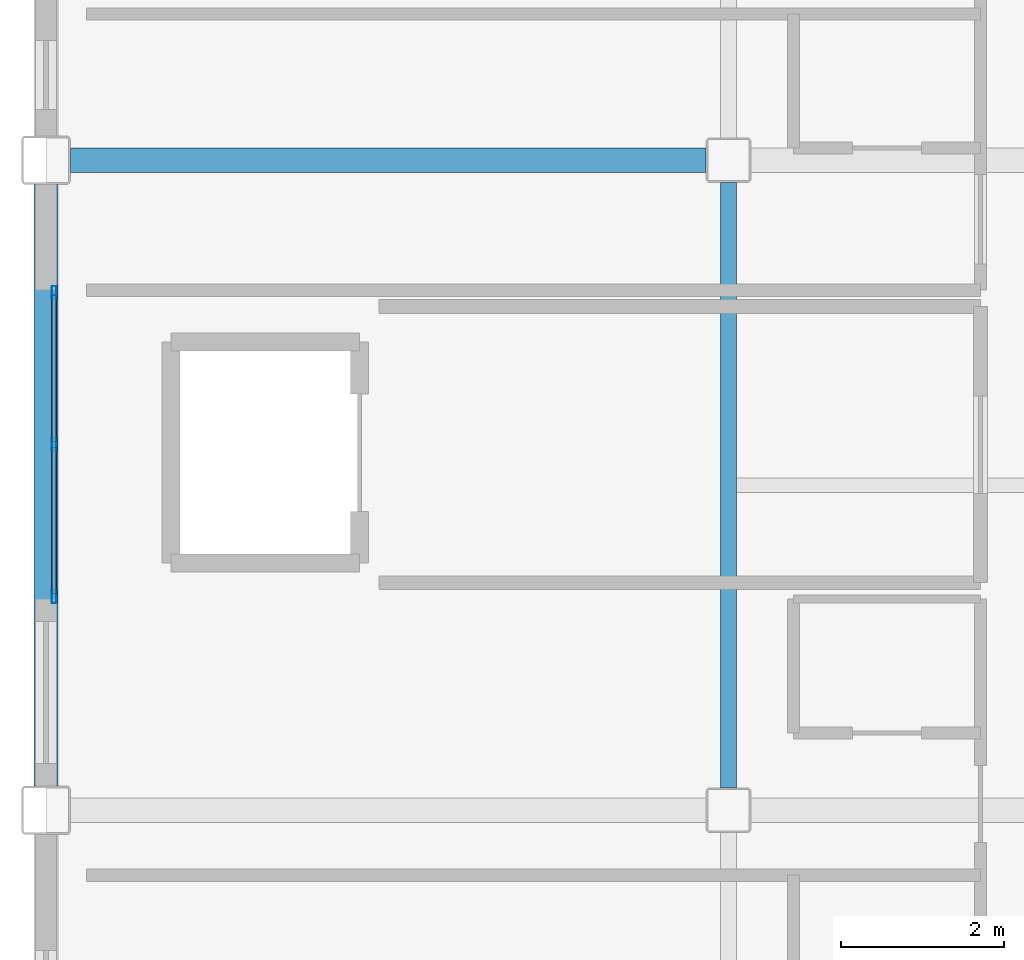
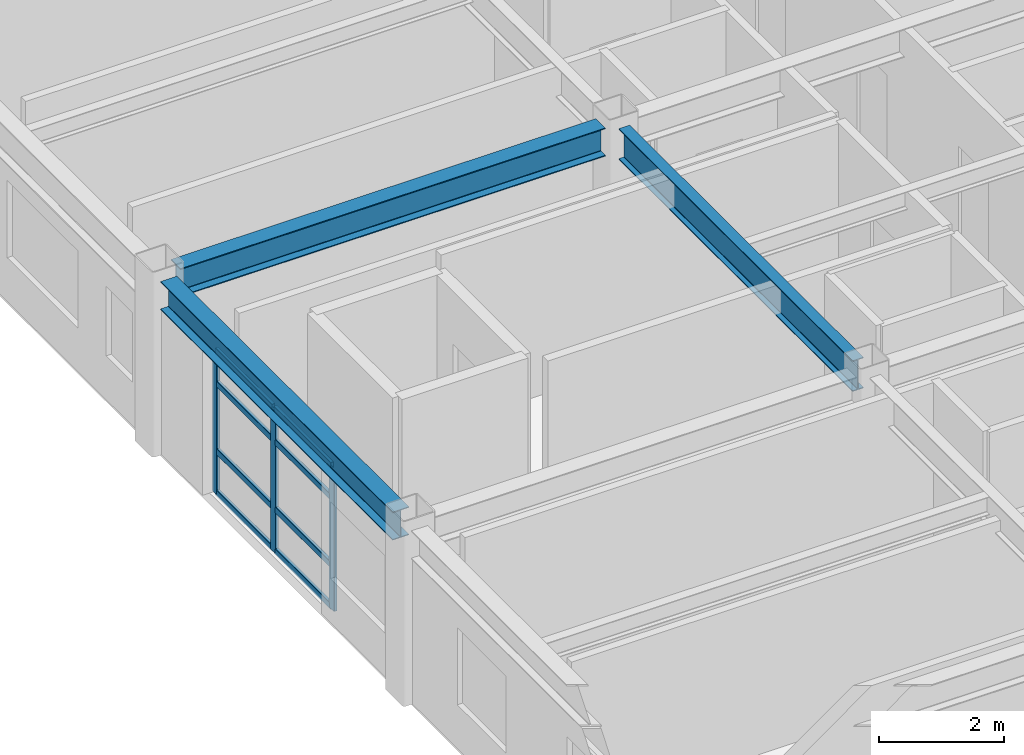
# One storey, part 9 of 36: 11 members, 3 beams, 1 element without a shape of its own.
"""IFC4 building model written with IfcOpenShell, lengths in metres."""

import ifcopenshell
import ifcopenshell.guid

model = None  # the IFC model being written
_history = None  # IfcOwnerHistory: only IFC2X3 demands one
_inside = {}  # id of a spatial element -> (the spatial element, [elements in it])
_under = {}  # id of a project, library or spatial element -> (it, [spatial elements below it])
_declared = {}  # id of a project -> (the project, [libraries it declares])
_typed = {}  # id of a type object -> (the type object, [elements of that type])
_made_of = {}  # id of a material, layer set ... -> (it, [elements and type objects made of it])


def new_model(schema):
    """Start an empty IFC model of exactly this schema.

    Asked for "IFC4X3", IfcOpenShell would pick the latest addendum, in which some entities
    have other attributes; the version numbers below select the first issue.
    IFC2X3 requires an IfcOwnerHistory on every rooted entity: one is made here for all.
    """
    global model, _history
    if schema == "IFC4X3":
        model = ifcopenshell.file(schema_version=(4, 3, 0, 0))
    else:
        model = ifcopenshell.file(schema=schema)
    _inside.clear()
    _under.clear()
    _declared.clear()
    _typed.clear()
    _made_of.clear()
    _history = None
    if model.schema == "IFC2X3":
        org = make("IfcOrganization", Name="unknown")
        user = make(
            "IfcPersonAndOrganization",
            ThePerson=make("IfcPerson", FamilyName="unknown"),
            TheOrganization=org,
        )
        app = make(
            "IfcApplication",
            ApplicationDeveloper=org,
            Version="unknown",
            ApplicationFullName="unknown",
            ApplicationIdentifier="unknown",
        )
        _history = make(
            "IfcOwnerHistory",
            OwningUser=user,
            OwningApplication=app,
            ChangeAction="ADDED",
            CreationDate=0,
        )
    return model


def make(cls, **values):
    """One entity of the class cls with the attributes given. An attribute that is None is left unset."""
    return model.create_entity(
        cls, **{name: value for name, value in values.items() if value is not None}
    )


def rooted(cls, **values):
    """An entity with a GlobalId (a new one), such as an element, a storey or a relation."""
    return make(cls, GlobalId=ifcopenshell.guid.new(), OwnerHistory=_history, **values)


def si_unit(unit_type, name, prefix=None):
    """IfcSIUnit, for example si_unit("LENGTHUNIT", "METRE", prefix="MILLI")."""
    return make("IfcSIUnit", UnitType=unit_type, Prefix=prefix, Name=name)


def assignment(units):
    """IfcUnitAssignment: the units of a project."""
    return None if units is None else make("IfcUnitAssignment", Units=units)


def point(xyz):
    """IfcCartesianPoint."""
    return None if xyz is None else make("IfcCartesianPoint", Coordinates=xyz)


def direction(xyz):
    """IfcDirection."""
    return None if xyz is None else make("IfcDirection", DirectionRatios=xyz)


def frame(location, z_axis=None, x_axis=None):
    """IfcAxis2Placement3D, a coordinate frame: its origin and axes. An axis left out is left unset."""
    return make(
        "IfcAxis2Placement3D",
        Location=point(location),
        Axis=direction(z_axis),
        RefDirection=direction(x_axis),
    )


def frame_2d(location, x_axis=None):
    """IfcAxis2Placement2D, a coordinate frame in the plane: its origin and x axis."""
    return make(
        "IfcAxis2Placement2D", Location=point(location), RefDirection=direction(x_axis)
    )


def origin():
    """The frame at (0, 0, 0) with its axes left unset."""
    return frame((0.0, 0.0, 0.0))


def origin_2d():
    """The frame at (0, 0) in the plane with its x axis left unset."""
    return frame_2d((0.0, 0.0))


def place(relative_to, where):
    """IfcLocalPlacement: puts the frame where relative to a parent placement (None: the world)."""
    return make(
        "IfcLocalPlacement", PlacementRelTo=relative_to, RelativePlacement=where
    )


def context(
    kind, dimensions, precision=None, world=None, true_north=None, identifier=None
):
    """IfcGeometricRepresentationContext, for example the 3D "Model" context."""
    return make(
        "IfcGeometricRepresentationContext",
        ContextIdentifier=identifier,
        ContextType=kind,
        CoordinateSpaceDimension=dimensions,
        Precision=precision,
        WorldCoordinateSystem=world,
        TrueNorth=true_north,
    )


def subcontext(parent, identifier, kind, view, scale=None):
    """IfcGeometricRepresentationSubContext, for example "Body" below "Model"."""
    return make(
        "IfcGeometricRepresentationSubContext",
        ContextIdentifier=identifier,
        ContextType=kind,
        ParentContext=parent,
        TargetScale=scale,
        TargetView=view,
    )


def project(units=None, contexts=None):
    """IfcProject with its units and contexts."""
    return rooted(
        "IfcProject",
        Name="project",
        RepresentationContexts=contexts,
        UnitsInContext=assignment(units),
    )


def spatial(cls, under=None, at=None, **own):
    """A site, building, storey or space (cls), placed at a placement, below another one or the project."""
    s = rooted(cls, ObjectPlacement=at, **own)
    if under is not None:
        _under.setdefault(under.id(), (under, []))[1].append(s)
    return s


def profile(cls, at=None, kind="AREA", **sizes):
    """A parametric profile (cls). Its sizes go by their IFC names, for example OverallWidth=200.0."""
    return make(cls, ProfileType=kind, Position=at, **sizes)


def hollow_rectangle(**sizes):
    """IfcRectangleHollowProfileDef."""
    return profile("IfcRectangleHollowProfileDef", **sizes)


def i_section(**sizes):
    """IfcIShapeProfileDef."""
    return profile("IfcIShapeProfileDef", **sizes)


def extrude(swept, where, along, depth):
    """IfcExtrudedAreaSolid: the profile swept, set in the frame where, extruded along a direction by depth."""
    return make(
        "IfcExtrudedAreaSolid",
        SweptArea=swept,
        Position=where,
        ExtrudedDirection=direction(along),
        Depth=depth,
    )


def shape(context_of_items, identifier, shape_type, items):
    """IfcShapeRepresentation: the items that make up one representation, for example the "Body"."""
    return make(
        "IfcShapeRepresentation",
        ContextOfItems=context_of_items,
        RepresentationIdentifier=identifier,
        RepresentationType=shape_type,
        Items=items,
    )


def material(Name=None, Category=None):
    """IfcMaterial."""
    return make("IfcMaterial", Name=Name, Category=Category)


def layer(
    of_material, thickness, ventilated=None, Name=None, Category=None, Priority=None
):
    """IfcMaterialLayer: one layer of a wall or slab, of a material (None: an air gap)."""
    return make(
        "IfcMaterialLayer",
        Material=of_material,
        LayerThickness=thickness,
        IsVentilated=ventilated,
        Name=Name,
        Category=Category,
        Priority=Priority,
    )


def layer_set(layers, Name=None):
    """IfcMaterialLayerSet."""
    return make("IfcMaterialLayerSet", MaterialLayers=layers, LayerSetName=Name)


def material_profile(
    of_material, cross_section, Name=None, Category=None, Priority=None
):
    """IfcMaterialProfile: a cross section and its material."""
    return make(
        "IfcMaterialProfile",
        Name=Name,
        Material=of_material,
        Profile=cross_section,
        Priority=Priority,
        Category=Category,
    )


def profile_set(profiles, Name=None, composite=None):
    """IfcMaterialProfileSet."""
    return make(
        "IfcMaterialProfileSet",
        Name=Name,
        MaterialProfiles=profiles,
        CompositeProfile=composite,
    )


def made_of(thing, what):
    """Note that an element or type object is made of a material, layer set ...; save() writes the relation."""
    if what is not None:
        _made_of.setdefault(what.id(), (what, []))[1].append(thing)
    return thing


def type_object(cls, material=None, **own):
    """A type object (cls), such as IfcWallType, which elements share."""
    return made_of(rooted(cls, **own), material)


def element(
    cls,
    number,
    at=None,
    inside=None,
    cuts=None,
    type_object=None,
    material=None,
    context=None,
    identifier="Body",
    shape_type=None,
    held_by="IfcProductDefinitionShape",
    body=None,
    shapes=None,
    **own,
):
    """One element of the class cls, such as IfcWall. Its Tag is "e" and its number.

    at: its placement. inside: the storey or other place that contains it. cuts: it is an
    opening in that element (IfcRelVoidsElement). A single representation is given by context,
    identifier, shape_type and body (its items); several are given by shapes. held_by: the class
    of the entity that holds the representations. save() writes the other relations.
    """
    e = rooted(cls, Tag="e%d" % number, ObjectPlacement=at, **own)
    if body is not None:
        shapes = [shape(context, identifier, shape_type, body)]
    if shapes is not None:
        e.Representation = make(held_by, Representations=shapes)
    if inside is not None:
        _inside.setdefault(inside.id(), (inside, []))[1].append(e)
    if cuts is not None:
        rooted(
            "IfcRelVoidsElement", RelatingBuildingElement=cuts, RelatedOpeningElement=e
        )
    if type_object is not None:
        _typed.setdefault(type_object.id(), (type_object, []))[1].append(e)
    return made_of(e, material)


def aggregate(whole, parts):
    """IfcRelAggregates: a whole, such as a stair, and the parts it consists of."""
    return rooted("IfcRelAggregates", RelatingObject=whole, RelatedObjects=parts)


def save(model, path):
    """Write the relations noted so far, then the file.

    IfcRelAggregates (storeys below a building ...), IfcRelContainedInSpatialStructure (elements
    in a storey), IfcRelDefinesByType, IfcRelAssociatesMaterial and IfcRelDeclares: one each for
    every whole, place, type object, material and project.
    """
    for whole, parts in _under.values():
        aggregate(whole, parts)
    for where, things in _inside.values():
        rooted(
            "IfcRelContainedInSpatialStructure",
            RelatedElements=things,
            RelatingStructure=where,
        )
    for kind, things in _typed.values():
        rooted("IfcRelDefinesByType", RelatedObjects=things, RelatingType=kind)
    for what, things in _made_of.values():
        rooted("IfcRelAssociatesMaterial", RelatedObjects=things, RelatingMaterial=what)
    for by, libraries in _declared.values():
        rooted("IfcRelDeclares", RelatingContext=by, RelatedDefinitions=libraries)
    model.write(path)


model = new_model("IFC4")

# Units and contexts
model_context = context("Model", 3, precision=1e-05, world=origin(), true_north=direction((0.0, 1.0)))
body_context = subcontext(model_context, "Body", "Model", "MODEL_VIEW")
ifc_project = project(units=[si_unit("LENGTHUNIT", "METRE"), si_unit("AREAUNIT", "SQUARE_METRE"), si_unit("VOLUMEUNIT", "CUBIC_METRE"), si_unit("PLANEANGLEUNIT", "RADIAN"), si_unit("MASSUNIT", "GRAM", prefix="KILO")], contexts=[model_context])

# Site, building, storey
site_placement = place(None, origin())
site = spatial("IfcSite", under=ifc_project, at=site_placement, CompositionType="ELEMENT")
building_placement = place(site_placement, origin())
building = spatial("IfcBuilding", under=site, at=building_placement, Name="Kazehara Bluff Congress Hotel", CompositionType="ELEMENT")
storey_placement = place(building_placement, frame((0.0, 0.0, 28.199951171875)))
storey = spatial("IfcBuildingStorey", under=building, at=storey_placement, Name="L06", CompositionType="ELEMENT", Elevation=28.199951171875)

# Curtain wall, members
ifc_material_1 = material(Name="Anodised aluminium", Category="aluminium")
ifc_layer = layer(ifc_material_1, 0.159912109375)
ifc_layer_set = layer_set([ifc_layer], Name="Anodised aluminium")
curtain_wall_type = type_object("IfcCurtainWallType", Name="TP-CW-176", PredefinedType="NOTDEFINED", material=ifc_layer_set)
curtain_wall_placement = place(storey_placement, origin())
curtain_wall = element("IfcCurtainWall", 1, at=curtain_wall_placement, inside=storey, type_object=curtain_wall_type, Name="L06 curtain wall CW-176 CW-ENC-V5-L06-14380-2850", PredefinedType="NOTDEFINED")
ifc_material_2 = material(Name="Anodised aluminium", Category="aluminium")
ifc_material_profile_1 = material_profile(ifc_material_2, hollow_rectangle(XDim=0.06005859375, YDim=0.159912109375, WallThickness=0.00390625, InnerFilletRadius=0.00390625, OuterFilletRadius=0.008056640625, at=origin_2d()))
ifc_profile_set_1 = profile_set([ifc_material_profile_1], Name="Anodised aluminium")
member_type_1 = type_object("IfcMemberType", Name="TP-CWM-01", PredefinedType="MULLION", material=ifc_profile_set_1)
member_1_placement = place(storey_placement, frame((143.800048828125, 26.6298828125, 0.0), z_axis=(0.0, 0.0, 1.0), x_axis=(-1.0, 0.0, 0.0)))
member_1 = element("IfcMember", 2, at=member_1_placement, type_object=member_type_1, Name="CW-176 mullion 1", PredefinedType="MULLION", context=body_context, shape_type="SweptSolid", body=[
    extrude(hollow_rectangle(XDim=0.06005859375, YDim=0.159912109375, WallThickness=0.00390625, InnerFilletRadius=0.00390625, OuterFilletRadius=0.008056640625, at=origin_2d()), origin(), (0.0, 0.0, 1.0), 2.804931640625),
])
member_2_placement = place(storey_placement, frame((143.800048828125, 28.5, 0.0), z_axis=(0.0, 0.0, 1.0), x_axis=(-1.0, 0.0, 0.0)))
member_2 = element("IfcMember", 3, at=member_2_placement, type_object=member_type_1, Name="CW-176 mullion 2", PredefinedType="MULLION", context=body_context, shape_type="SweptSolid", body=[
    extrude(hollow_rectangle(XDim=0.06005859375, YDim=0.159912109375, WallThickness=0.00390625, InnerFilletRadius=0.00390625, OuterFilletRadius=0.008056640625, at=origin_2d()), origin(), (0.0, 0.0, 1.0), 2.804931640625),
])
member_3_placement = place(storey_placement, frame((143.800048828125, 30.3701171875, 0.0), z_axis=(0.0, 0.0, 1.0), x_axis=(-1.0, 0.0, 0.0)))
member_3 = element("IfcMember", 4, at=member_3_placement, type_object=member_type_1, Name="CW-176 mullion 3", PredefinedType="MULLION", context=body_context, shape_type="SweptSolid", body=[
    extrude(hollow_rectangle(XDim=0.06005859375, YDim=0.159912109375, WallThickness=0.00390625, InnerFilletRadius=0.00390625, OuterFilletRadius=0.008056640625, at=origin_2d()), origin(), (0.0, 0.0, 1.0), 2.804931640625),
])
ifc_material_3 = material(Name="Anodised aluminium", Category="aluminium")
ifc_material_profile_2 = material_profile(ifc_material_3, hollow_rectangle(XDim=0.06005859375, YDim=0.1201171875, WallThickness=0.00390625, InnerFilletRadius=0.00390625, OuterFilletRadius=0.008056640625, at=origin_2d()))
ifc_profile_set_2 = profile_set([ifc_material_profile_2], Name="Anodised aluminium")
member_type_2 = type_object("IfcMemberType", Name="TP-CWT-01", PredefinedType="USERDEFINED", material=ifc_profile_set_2)
member_4_placement = place(storey_placement, frame((143.800048828125, 26.659912109375, 0.030029296875), z_axis=(0.0, 1.0, 0.0), x_axis=(-1.0, 0.0, 0.0)))
member_4 = element("IfcMember", 5, at=member_4_placement, type_object=member_type_2, Name="CW-176 transom 1.1", ObjectType="TRANSOM", PredefinedType="USERDEFINED", context=body_context, shape_type="SweptSolid", body=[
    extrude(hollow_rectangle(XDim=0.06005859375, YDim=0.1201171875, WallThickness=0.00390625, InnerFilletRadius=0.00390625, OuterFilletRadius=0.008056640625, at=origin_2d()), origin(), (0.0, 0.0, 1.0), 1.81005859375),
])
member_5_placement = place(storey_placement, frame((143.800048828125, 26.659912109375, 0.840087890625), z_axis=(0.0, 1.0, 0.0), x_axis=(-1.0, 0.0, 0.0)))
member_5 = element("IfcMember", 6, at=member_5_placement, type_object=member_type_2, Name="CW-176 transom 1.2", ObjectType="TRANSOM", PredefinedType="USERDEFINED", context=body_context, shape_type="SweptSolid", body=[
    extrude(hollow_rectangle(XDim=0.06005859375, YDim=0.1201171875, WallThickness=0.00390625, InnerFilletRadius=0.00390625, OuterFilletRadius=0.008056640625, at=origin_2d()), origin(), (0.0, 0.0, 1.0), 1.81005859375),
])
member_6_placement = place(storey_placement, frame((143.800048828125, 26.659912109375, 2.155029296875), z_axis=(0.0, 1.0, 0.0), x_axis=(-1.0, 0.0, 0.0)))
member_6 = element("IfcMember", 7, at=member_6_placement, type_object=member_type_2, Name="CW-176 transom 1.3", ObjectType="TRANSOM", PredefinedType="USERDEFINED", context=body_context, shape_type="SweptSolid", body=[
    extrude(hollow_rectangle(XDim=0.06005859375, YDim=0.1201171875, WallThickness=0.00390625, InnerFilletRadius=0.00390625, OuterFilletRadius=0.008056640625, at=origin_2d()), origin(), (0.0, 0.0, 1.0), 1.81005859375),
])
member_7_placement = place(storey_placement, frame((143.800048828125, 26.659912109375, 2.775146484375), z_axis=(0.0, 1.0, 0.0), x_axis=(-1.0, 0.0, 0.0)))
member_7 = element("IfcMember", 8, at=member_7_placement, type_object=member_type_2, Name="CW-176 transom 1.4", ObjectType="TRANSOM", PredefinedType="USERDEFINED", context=body_context, shape_type="SweptSolid", body=[
    extrude(hollow_rectangle(XDim=0.06005859375, YDim=0.1201171875, WallThickness=0.00390625, InnerFilletRadius=0.00390625, OuterFilletRadius=0.008056640625, at=origin_2d()), origin(), (0.0, 0.0, 1.0), 1.81005859375),
])
member_8_placement = place(storey_placement, frame((143.800048828125, 28.530029296875, 0.030029296875), z_axis=(0.0, 1.0, 0.0), x_axis=(-1.0, 0.0, 0.0)))
member_8 = element("IfcMember", 9, at=member_8_placement, type_object=member_type_2, Name="CW-176 transom 2.1", ObjectType="TRANSOM", PredefinedType="USERDEFINED", context=body_context, shape_type="SweptSolid", body=[
    extrude(hollow_rectangle(XDim=0.06005859375, YDim=0.1201171875, WallThickness=0.00390625, InnerFilletRadius=0.00390625, OuterFilletRadius=0.008056640625, at=origin_2d()), origin(), (0.0, 0.0, 1.0), 1.81005859375),
])
member_9_placement = place(storey_placement, frame((143.800048828125, 28.530029296875, 0.840087890625), z_axis=(0.0, 1.0, 0.0), x_axis=(-1.0, 0.0, 0.0)))
member_9 = element("IfcMember", 10, at=member_9_placement, type_object=member_type_2, Name="CW-176 transom 2.2", ObjectType="TRANSOM", PredefinedType="USERDEFINED", context=body_context, shape_type="SweptSolid", body=[
    extrude(hollow_rectangle(XDim=0.06005859375, YDim=0.1201171875, WallThickness=0.00390625, InnerFilletRadius=0.00390625, OuterFilletRadius=0.008056640625, at=origin_2d()), origin(), (0.0, 0.0, 1.0), 1.81005859375),
])
member_10_placement = place(storey_placement, frame((143.800048828125, 28.530029296875, 2.155029296875), z_axis=(0.0, 1.0, 0.0), x_axis=(-1.0, 0.0, 0.0)))
member_10 = element("IfcMember", 11, at=member_10_placement, type_object=member_type_2, Name="CW-176 transom 2.3", ObjectType="TRANSOM", PredefinedType="USERDEFINED", context=body_context, shape_type="SweptSolid", body=[
    extrude(hollow_rectangle(XDim=0.06005859375, YDim=0.1201171875, WallThickness=0.00390625, InnerFilletRadius=0.00390625, OuterFilletRadius=0.008056640625, at=origin_2d()), origin(), (0.0, 0.0, 1.0), 1.81005859375),
])
member_11_placement = place(storey_placement, frame((143.800048828125, 28.530029296875, 2.775146484375), z_axis=(0.0, 1.0, 0.0), x_axis=(-1.0, 0.0, 0.0)))
member_11 = element("IfcMember", 12, at=member_11_placement, type_object=member_type_2, Name="CW-176 transom 2.4", ObjectType="TRANSOM", PredefinedType="USERDEFINED", context=body_context, shape_type="SweptSolid", body=[
    extrude(hollow_rectangle(XDim=0.06005859375, YDim=0.1201171875, WallThickness=0.00390625, InnerFilletRadius=0.00390625, OuterFilletRadius=0.008056640625, at=origin_2d()), origin(), (0.0, 0.0, 1.0), 1.81005859375),
])
aggregate(curtain_wall, [member_1, member_2, member_3, member_4, member_5, member_6, member_7, member_8, member_9, member_10, member_11])

# Beams
ifc_material_4 = material(Name="Steel SN490B", Category="steel")
ifc_material_profile_3 = material_profile(ifc_material_4, i_section(OverallWidth=0.199951171875, OverallDepth=0.60009765625, WebThickness=0.010986328125, FlangeThickness=0.01708984375, FilletRadius=0.012939453125, at=origin_2d()))
ifc_profile_set_3 = profile_set([ifc_material_profile_3], Name="Steel SN490B")
beam_type_1 = type_object("IfcBeamType", Name="TP-G-02", PredefinedType="BEAM", material=ifc_profile_set_3)
beam_1_placement = place(storey_placement, frame((152.10009765625, 24.27490234375, 3.080078125), z_axis=(0.0, 1.0, 0.0), x_axis=(-1.0, 0.0, 0.0)))
element("IfcBeam", 13, at=beam_1_placement, inside=storey, type_object=beam_type_1, Name="L06 girder G-02 16", PredefinedType="BEAM", context=body_context, shape_type="SweptSolid", body=[
    extrude(i_section(OverallWidth=0.199951171875, OverallDepth=0.60009765625, WebThickness=0.010986328125, FlangeThickness=0.01708984375, FilletRadius=0.012939453125, at=origin_2d()), origin(), (0.0, 0.0, 1.0), 7.4501953125),
])
ifc_material_5 = material(Name="Steel SN490B", Category="steel")
ifc_material_profile_4 = material_profile(ifc_material_5, i_section(OverallWidth=0.300048828125, OverallDepth=0.550048828125, WebThickness=0.010986328125, FlangeThickness=0.01806640625, FilletRadius=0.012939453125, at=origin_2d()))
ifc_profile_set_4 = profile_set([ifc_material_profile_4], Name="Steel SN490B")
beam_type_2 = type_object("IfcBeamType", Name="TP-G-12", PredefinedType="BEAM", material=ifc_profile_set_4)
beam_2_placement = place(storey_placement, frame((144.0, 32.0, 3.10498046875), z_axis=(1.0, 0.0, 0.0), x_axis=(0.0, 1.0, 0.0)))
element("IfcBeam", 14, at=beam_2_placement, inside=storey, type_object=beam_type_2, Name="L06 girder G-12 56", PredefinedType="BEAM", context=body_context, shape_type="SweptSolid", body=[
    extrude(i_section(OverallWidth=0.300048828125, OverallDepth=0.550048828125, WebThickness=0.010986328125, FlangeThickness=0.01806640625, FilletRadius=0.012939453125, at=origin_2d()), origin(), (0.0, 0.0, 1.0), 7.824951171875),
])
ifc_material_6 = material(Name="Steel SN490B", Category="steel")
ifc_material_profile_5 = material_profile(ifc_material_6, i_section(OverallWidth=0.300048828125, OverallDepth=0.550048828125, WebThickness=0.010986328125, FlangeThickness=0.01806640625, FilletRadius=0.012939453125, at=origin_2d()))
ifc_profile_set_5 = profile_set([ifc_material_profile_5], Name="Steel SN490B")
beam_type_3 = type_object("IfcBeamType", Name="TP-SP-01", PredefinedType="SPANDREL", material=ifc_profile_set_5)
beam_3_placement = place(storey_placement, frame((143.699951171875, 24.300048828125, 3.10498046875), z_axis=(0.0, 1.0, 0.0), x_axis=(-1.0, 0.0, 0.0)))
element("IfcBeam", 15, at=beam_3_placement, inside=storey, type_object=beam_type_3, Name="L06 girder SP-01 4", PredefinedType="SPANDREL", context=body_context, shape_type="SweptSolid", body=[
    extrude(i_section(OverallWidth=0.300048828125, OverallDepth=0.550048828125, WebThickness=0.010986328125, FlangeThickness=0.01806640625, FilletRadius=0.012939453125, at=origin_2d()), origin(), (0.0, 0.0, 1.0), 7.39990234375),
])

save(model, "model.ifc")
